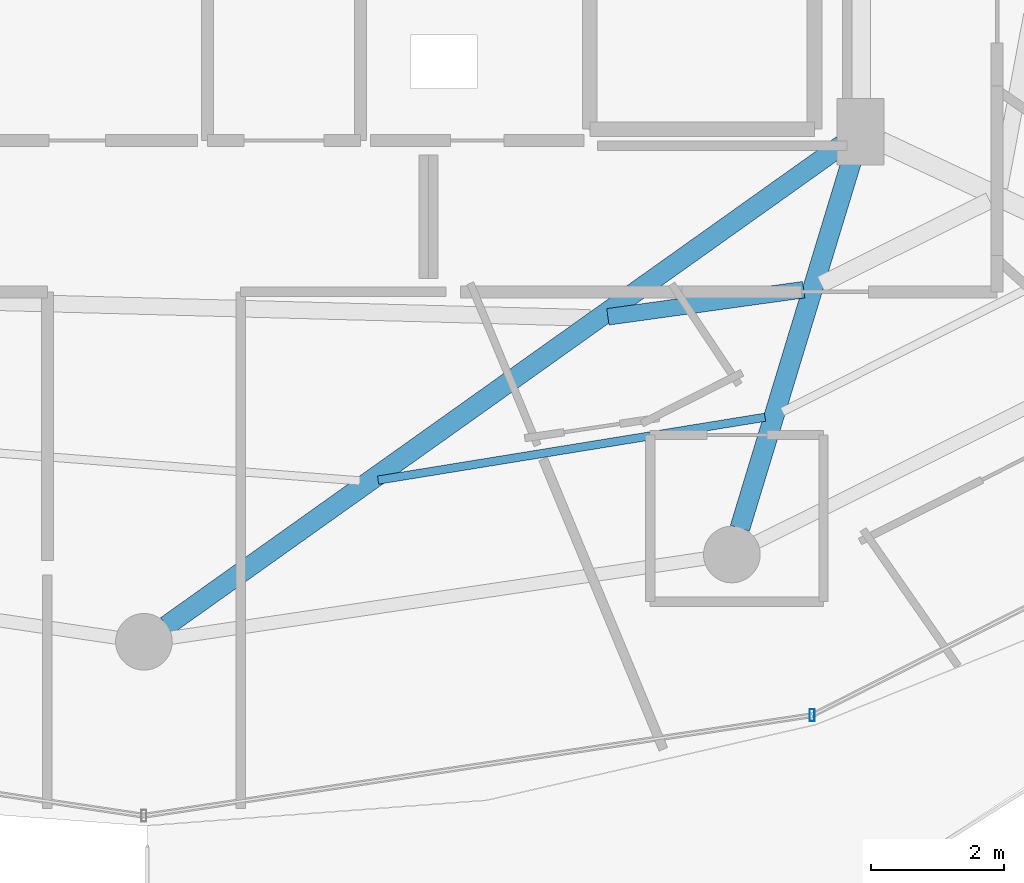
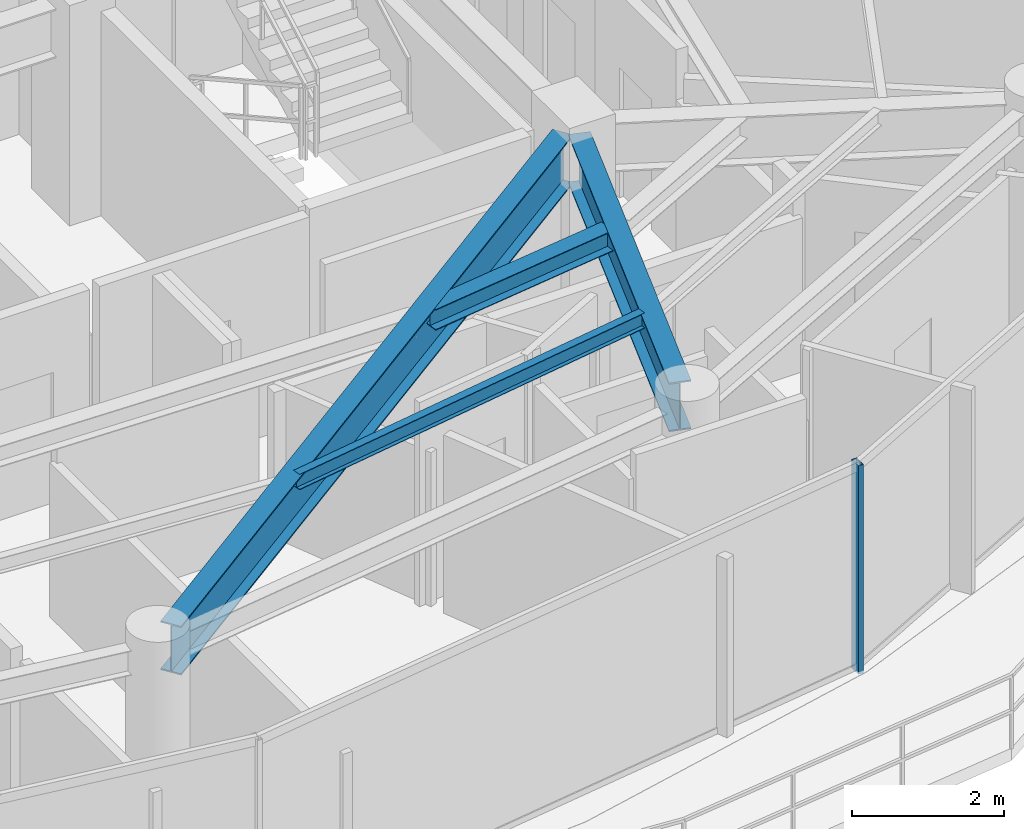
# One storey, part 10 of 29: 4 beams, 1 member, 1 element without a shape of its own.
"""IFC4 building model written with IfcOpenShell, lengths in metres."""

import ifcopenshell
import ifcopenshell.guid

model = None  # the IFC model being written
_history = None  # IfcOwnerHistory: only IFC2X3 demands one
_inside = {}  # id of a spatial element -> (the spatial element, [elements in it])
_under = {}  # id of a project, library or spatial element -> (it, [spatial elements below it])
_declared = {}  # id of a project -> (the project, [libraries it declares])
_typed = {}  # id of a type object -> (the type object, [elements of that type])
_made_of = {}  # id of a material, layer set ... -> (it, [elements and type objects made of it])


def new_model(schema):
    """Start an empty IFC model of exactly this schema.

    Asked for "IFC4X3", IfcOpenShell would pick the latest addendum, in which some entities
    have other attributes; the version numbers below select the first issue.
    IFC2X3 requires an IfcOwnerHistory on every rooted entity: one is made here for all.
    """
    global model, _history
    if schema == "IFC4X3":
        model = ifcopenshell.file(schema_version=(4, 3, 0, 0))
    else:
        model = ifcopenshell.file(schema=schema)
    _inside.clear()
    _under.clear()
    _declared.clear()
    _typed.clear()
    _made_of.clear()
    _history = None
    if model.schema == "IFC2X3":
        org = make("IfcOrganization", Name="unknown")
        user = make(
            "IfcPersonAndOrganization",
            ThePerson=make("IfcPerson", FamilyName="unknown"),
            TheOrganization=org,
        )
        app = make(
            "IfcApplication",
            ApplicationDeveloper=org,
            Version="unknown",
            ApplicationFullName="unknown",
            ApplicationIdentifier="unknown",
        )
        _history = make(
            "IfcOwnerHistory",
            OwningUser=user,
            OwningApplication=app,
            ChangeAction="ADDED",
            CreationDate=0,
        )
    return model


def make(cls, **values):
    """One entity of the class cls with the attributes given. An attribute that is None is left unset."""
    return model.create_entity(
        cls, **{name: value for name, value in values.items() if value is not None}
    )


def rooted(cls, **values):
    """An entity with a GlobalId (a new one), such as an element, a storey or a relation."""
    return make(cls, GlobalId=ifcopenshell.guid.new(), OwnerHistory=_history, **values)


def si_unit(unit_type, name, prefix=None):
    """IfcSIUnit, for example si_unit("LENGTHUNIT", "METRE", prefix="MILLI")."""
    return make("IfcSIUnit", UnitType=unit_type, Prefix=prefix, Name=name)


def assignment(units):
    """IfcUnitAssignment: the units of a project."""
    return None if units is None else make("IfcUnitAssignment", Units=units)


def point(xyz):
    """IfcCartesianPoint."""
    return None if xyz is None else make("IfcCartesianPoint", Coordinates=xyz)


def direction(xyz):
    """IfcDirection."""
    return None if xyz is None else make("IfcDirection", DirectionRatios=xyz)


def frame(location, z_axis=None, x_axis=None):
    """IfcAxis2Placement3D, a coordinate frame: its origin and axes. An axis left out is left unset."""
    return make(
        "IfcAxis2Placement3D",
        Location=point(location),
        Axis=direction(z_axis),
        RefDirection=direction(x_axis),
    )


def frame_2d(location, x_axis=None):
    """IfcAxis2Placement2D, a coordinate frame in the plane: its origin and x axis."""
    return make(
        "IfcAxis2Placement2D", Location=point(location), RefDirection=direction(x_axis)
    )


def origin():
    """The frame at (0, 0, 0) with its axes left unset."""
    return frame((0.0, 0.0, 0.0))


def origin_2d():
    """The frame at (0, 0) in the plane with its x axis left unset."""
    return frame_2d((0.0, 0.0))


def place(relative_to, where):
    """IfcLocalPlacement: puts the frame where relative to a parent placement (None: the world)."""
    return make(
        "IfcLocalPlacement", PlacementRelTo=relative_to, RelativePlacement=where
    )


def context(
    kind, dimensions, precision=None, world=None, true_north=None, identifier=None
):
    """IfcGeometricRepresentationContext, for example the 3D "Model" context."""
    return make(
        "IfcGeometricRepresentationContext",
        ContextIdentifier=identifier,
        ContextType=kind,
        CoordinateSpaceDimension=dimensions,
        Precision=precision,
        WorldCoordinateSystem=world,
        TrueNorth=true_north,
    )


def subcontext(parent, identifier, kind, view, scale=None):
    """IfcGeometricRepresentationSubContext, for example "Body" below "Model"."""
    return make(
        "IfcGeometricRepresentationSubContext",
        ContextIdentifier=identifier,
        ContextType=kind,
        ParentContext=parent,
        TargetScale=scale,
        TargetView=view,
    )


def project(units=None, contexts=None):
    """IfcProject with its units and contexts."""
    return rooted(
        "IfcProject",
        Name="project",
        RepresentationContexts=contexts,
        UnitsInContext=assignment(units),
    )


def spatial(cls, under=None, at=None, **own):
    """A site, building, storey or space (cls), placed at a placement, below another one or the project."""
    s = rooted(cls, ObjectPlacement=at, **own)
    if under is not None:
        _under.setdefault(under.id(), (under, []))[1].append(s)
    return s


def profile(cls, at=None, kind="AREA", **sizes):
    """A parametric profile (cls). Its sizes go by their IFC names, for example OverallWidth=200.0."""
    return make(cls, ProfileType=kind, Position=at, **sizes)


def hollow_rectangle(**sizes):
    """IfcRectangleHollowProfileDef."""
    return profile("IfcRectangleHollowProfileDef", **sizes)


def i_section(**sizes):
    """IfcIShapeProfileDef."""
    return profile("IfcIShapeProfileDef", **sizes)


def extrude(swept, where, along, depth):
    """IfcExtrudedAreaSolid: the profile swept, set in the frame where, extruded along a direction by depth."""
    return make(
        "IfcExtrudedAreaSolid",
        SweptArea=swept,
        Position=where,
        ExtrudedDirection=direction(along),
        Depth=depth,
    )


def shape(context_of_items, identifier, shape_type, items):
    """IfcShapeRepresentation: the items that make up one representation, for example the "Body"."""
    return make(
        "IfcShapeRepresentation",
        ContextOfItems=context_of_items,
        RepresentationIdentifier=identifier,
        RepresentationType=shape_type,
        Items=items,
    )


def material(Name=None, Category=None):
    """IfcMaterial."""
    return make("IfcMaterial", Name=Name, Category=Category)


def material_profile(
    of_material, cross_section, Name=None, Category=None, Priority=None
):
    """IfcMaterialProfile: a cross section and its material."""
    return make(
        "IfcMaterialProfile",
        Name=Name,
        Material=of_material,
        Profile=cross_section,
        Priority=Priority,
        Category=Category,
    )


def profile_set(profiles, Name=None, composite=None):
    """IfcMaterialProfileSet."""
    return make(
        "IfcMaterialProfileSet",
        Name=Name,
        MaterialProfiles=profiles,
        CompositeProfile=composite,
    )


def made_of(thing, what):
    """Note that an element or type object is made of a material, layer set ...; save() writes the relation."""
    if what is not None:
        _made_of.setdefault(what.id(), (what, []))[1].append(thing)
    return thing


def type_object(cls, material=None, **own):
    """A type object (cls), such as IfcWallType, which elements share."""
    return made_of(rooted(cls, **own), material)


def element(
    cls,
    number,
    at=None,
    inside=None,
    cuts=None,
    type_object=None,
    material=None,
    context=None,
    identifier="Body",
    shape_type=None,
    held_by="IfcProductDefinitionShape",
    body=None,
    shapes=None,
    **own,
):
    """One element of the class cls, such as IfcWall. Its Tag is "e" and its number.

    at: its placement. inside: the storey or other place that contains it. cuts: it is an
    opening in that element (IfcRelVoidsElement). A single representation is given by context,
    identifier, shape_type and body (its items); several are given by shapes. held_by: the class
    of the entity that holds the representations. save() writes the other relations.
    """
    e = rooted(cls, Tag="e%d" % number, ObjectPlacement=at, **own)
    if body is not None:
        shapes = [shape(context, identifier, shape_type, body)]
    if shapes is not None:
        e.Representation = make(held_by, Representations=shapes)
    if inside is not None:
        _inside.setdefault(inside.id(), (inside, []))[1].append(e)
    if cuts is not None:
        rooted(
            "IfcRelVoidsElement", RelatingBuildingElement=cuts, RelatedOpeningElement=e
        )
    if type_object is not None:
        _typed.setdefault(type_object.id(), (type_object, []))[1].append(e)
    return made_of(e, material)


def aggregate(whole, parts):
    """IfcRelAggregates: a whole, such as a stair, and the parts it consists of."""
    return rooted("IfcRelAggregates", RelatingObject=whole, RelatedObjects=parts)


def save(model, path):
    """Write the relations noted so far, then the file.

    IfcRelAggregates (storeys below a building ...), IfcRelContainedInSpatialStructure (elements
    in a storey), IfcRelDefinesByType, IfcRelAssociatesMaterial and IfcRelDeclares: one each for
    every whole, place, type object, material and project.
    """
    for whole, parts in _under.values():
        aggregate(whole, parts)
    for where, things in _inside.values():
        rooted(
            "IfcRelContainedInSpatialStructure",
            RelatedElements=things,
            RelatingStructure=where,
        )
    for kind, things in _typed.values():
        rooted("IfcRelDefinesByType", RelatedObjects=things, RelatingType=kind)
    for what, things in _made_of.values():
        rooted("IfcRelAssociatesMaterial", RelatedObjects=things, RelatingMaterial=what)
    for by, libraries in _declared.values():
        rooted("IfcRelDeclares", RelatingContext=by, RelatedDefinitions=libraries)
    model.write(path)


model = new_model("IFC4")

# Units and contexts
model_context = context("Model", 3, precision=1e-05, world=origin(), true_north=direction((0.0, 1.0)))
body_context = subcontext(model_context, "Body", "Model", "MODEL_VIEW")
ifc_project = project(units=[si_unit("LENGTHUNIT", "METRE"), si_unit("AREAUNIT", "SQUARE_METRE"), si_unit("VOLUMEUNIT", "CUBIC_METRE"), si_unit("PLANEANGLEUNIT", "RADIAN"), si_unit("MASSUNIT", "GRAM", prefix="KILO")], contexts=[model_context])

# Site, building, storey
site_placement = place(None, origin())
site = spatial("IfcSite", under=ifc_project, at=site_placement, CompositionType="ELEMENT")
building_placement = place(site_placement, origin())
building = spatial("IfcBuilding", under=site, at=building_placement, Name="Vorneva Point Tower", CompositionType="ELEMENT")
storey_placement = place(building_placement, frame((0.0, 0.0, 259.10009765625)))
storey = spatial("IfcBuildingStorey", under=building, at=storey_placement, Name="L70", CompositionType="ELEMENT", Elevation=259.10009765625)

# Beams
ifc_material_1 = material(Name="Steel S355", Category="steel")
ifc_material_profile_1 = material_profile(ifc_material_1, i_section(OverallWidth=0.300048828125, OverallDepth=0.7880859375, WebThickness=0.014404296875, FlangeThickness=0.02197265625, at=origin_2d()), Name="80Sh1")
ifc_profile_set_1 = profile_set([ifc_material_profile_1], Name="Steel S355")
beam_type_1 = type_object("IfcBeamType", Name="BM-GRD-80Sh1", PredefinedType="USERDEFINED", material=ifc_profile_set_1)
beam_1_placement = place(storey_placement, frame((38.33642578125, 9.03955078125, 2.89599609375), z_axis=(0.814757147543, 0.579802371958, 0.0), x_axis=(-0.579802371958, 0.814757147543, 0.0)))
element("IfcBeam", 1, at=beam_1_placement, inside=storey, type_object=beam_type_1, Name="L70 Radial Primary Girder 13", ObjectType="GIRDER", PredefinedType="USERDEFINED", context=body_context, shape_type="SweptSolid", body=[
    extrude(i_section(OverallWidth=0.300048828125, OverallDepth=0.7880859375, WebThickness=0.014404296875, FlangeThickness=0.02197265625, at=origin_2d()), origin(), (0.0, 0.0, 1.0), 12.441162109375),
])
beam_2_placement = place(storey_placement, frame((46.941162109375, 10.50439453125, 2.89599609375), z_axis=(0.291032624293, 0.956713129207, 0.0), x_axis=(-0.956713129207, 0.291032624293, 0.0)))
element("IfcBeam", 2, at=beam_2_placement, inside=storey, type_object=beam_type_1, Name="L70 Radial Primary Girder 14", ObjectType="GIRDER", PredefinedType="USERDEFINED", context=body_context, shape_type="SweptSolid", body=[
    extrude(i_section(OverallWidth=0.300048828125, OverallDepth=0.7880859375, WebThickness=0.014404296875, FlangeThickness=0.02197265625, at=origin_2d()), origin(), (0.0, 0.0, 1.0), 5.874755859375),
])
ifc_material_profile_2 = material_profile(ifc_material_1, i_section(OverallWidth=0.1240234375, OverallDepth=0.248046875, WebThickness=0.0048828125, FlangeThickness=0.008056640625, at=origin_2d()), Name="25B1")
ifc_profile_set_2 = profile_set([ifc_material_profile_2], Name="Steel S355")
beam_type_2 = type_object("IfcBeamType", Name="BM-JST-25B1", PredefinedType="JOIST", material=ifc_profile_set_2)
beam_3_placement = place(storey_placement, frame((41.513671875, 11.2255859375, 3.166015625), z_axis=(0.987061114088, 0.160344494936, 0.0), x_axis=(-0.160344494936, 0.987061114088, 0.0)))
element("IfcBeam", 3, at=beam_3_placement, inside=storey, type_object=beam_type_2, Name="L70 Secondary Floor Beam 1.13", PredefinedType="JOIST", context=body_context, shape_type="SweptSolid", body=[
    extrude(i_section(OverallWidth=0.1240234375, OverallDepth=0.248046875, WebThickness=0.0048828125, FlangeThickness=0.008056640625, at=origin_2d()), origin(), (0.0, 0.0, 1.0), 5.88037109375),
])
ifc_material_profile_3 = material_profile(ifc_material_1, i_section(OverallWidth=0.2490234375, OverallDepth=0.333984375, WebThickness=0.008056640625, FlangeThickness=0.010986328125, at=origin_2d()), Name="35Sh1")
ifc_profile_set_3 = profile_set([ifc_material_profile_3], Name="Steel S355")
beam_type_3 = type_object("IfcBeamType", Name="BM-SEC-35Sh1", PredefinedType="BEAM", material=ifc_profile_set_3)
beam_4_placement = place(storey_placement, frame((44.960693359375, 13.675048828125, 3.122802734375), z_axis=(0.990519047215, 0.137375460346, 0.0), x_axis=(-0.137375460346, 0.990519047215, 0.0)))
element("IfcBeam", 4, at=beam_4_placement, inside=storey, type_object=beam_type_3, Name="L70 Secondary Floor Beam 2.13", PredefinedType="BEAM", context=body_context, shape_type="SweptSolid", body=[
    extrude(i_section(OverallWidth=0.2490234375, OverallDepth=0.333984375, WebThickness=0.008056640625, FlangeThickness=0.010986328125, at=origin_2d()), origin(), (0.0, 0.0, 1.0), 2.966064453125),
])

# Curtain wall, member
ifc_material_2 = material(Name="Pale anodised aluminium", Category="aluminium")
curtain_wall_type = type_object("IfcCurtainWallType", Name="CW-RES-SYS", PredefinedType="NOTDEFINED", material=ifc_material_2)
curtain_wall_placement = place(storey_placement, origin())
curtain_wall = element("IfcCurtainWall", 5, at=curtain_wall_placement, inside=storey, type_object=curtain_wall_type, Name="L70 Unitised Curtain Wall CW-L70-R04", PredefinedType="NOTDEFINED")
ifc_material_profile_4 = material_profile(ifc_material_2, hollow_rectangle(XDim=0.074951171875, YDim=0.179931640625, WallThickness=0.00390625, at=origin_2d()), Name="AL-MUL 180x75x4")
ifc_profile_set_4 = profile_set([ifc_material_profile_4], Name="Pale anodised aluminium")
member_type = type_object("IfcMemberType", Name="CW-MUL-180", PredefinedType="MULLION", material=ifc_profile_set_4)
member_placement = place(storey_placement, frame((48.0263671875, 7.697998046875, -0.0400390625), z_axis=(0.0, 0.0, 1.0), x_axis=(1.0, 0.0, 0.0)))
member = element("IfcMember", 6, at=member_placement, type_object=member_type, Name="CW-L70-R04 Mullion 04", PredefinedType="MULLION", context=body_context, shape_type="SweptSolid", body=[
    extrude(hollow_rectangle(XDim=0.074951171875, YDim=0.179931640625, WallThickness=0.00390625, at=origin_2d()), origin(), (0.0, 0.0, 1.0), 3.35986328125),
])
aggregate(curtain_wall, [member])

save(model, "model.ifc")
